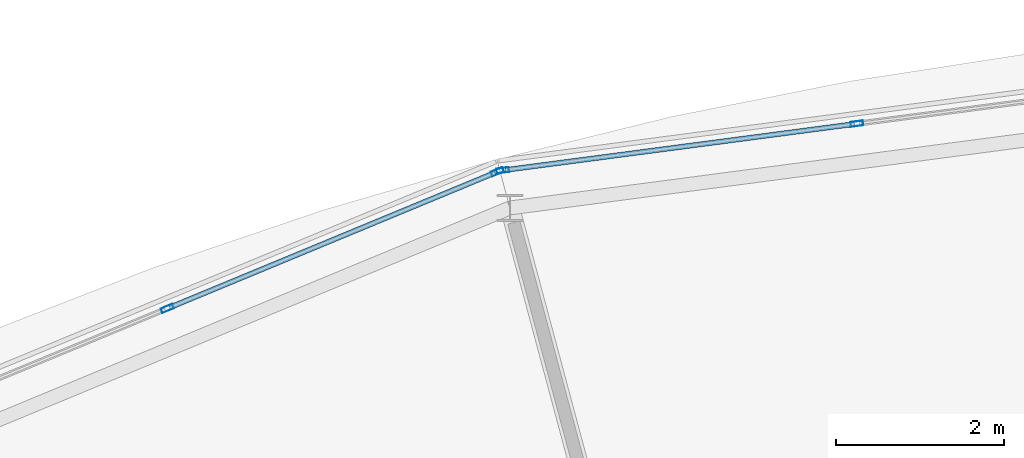
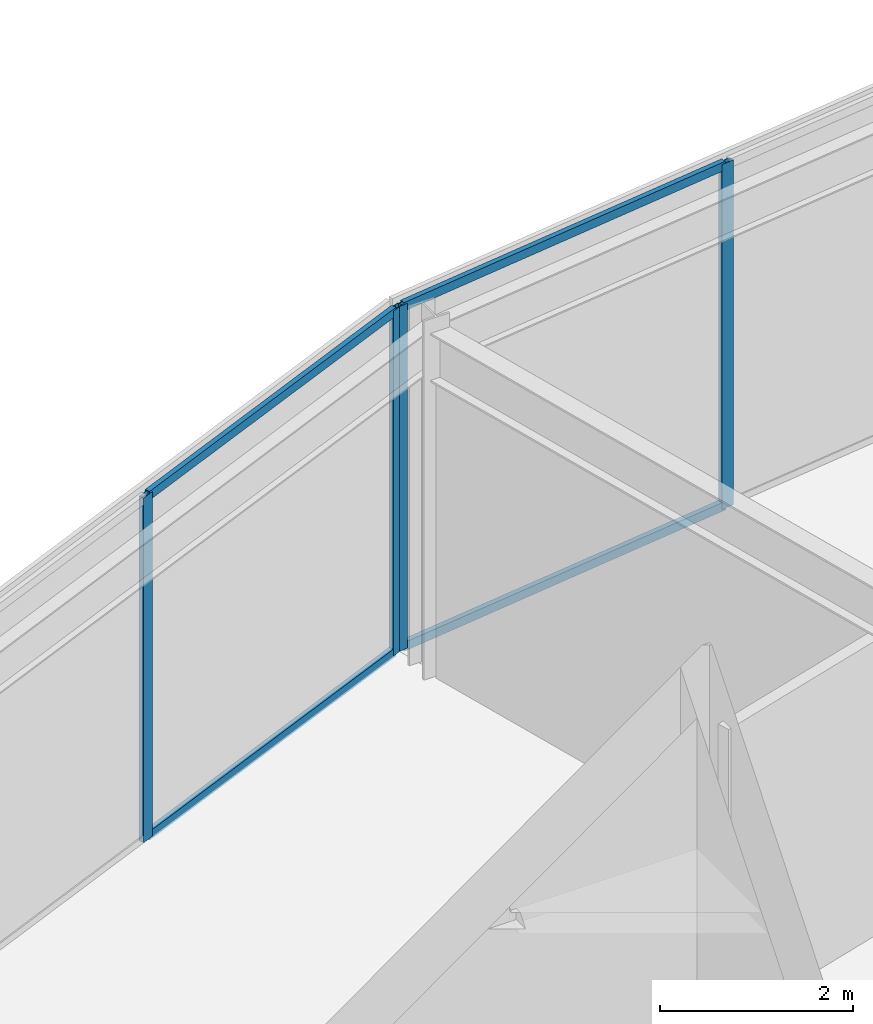
# One storey, part 76 of 133: 8 members, 2 elements without a shape of their own.
"""IFC4 building model written with IfcOpenShell, lengths in metres."""

from ifc_helpers import new_model, si_unit, direction, frame, origin, origin_2d, place, context, subcontext, project, spatial, hollow_rectangle, extrude, material, material_profile, profile_set, type_object, element, aggregate, save


model = new_model("IFC4")

# Units and contexts
model_context = context("Model", 3, precision=1e-05, world=origin(), true_north=direction((0.0, 1.0)))
body_context = subcontext(model_context, "Body", "Model", "MODEL_VIEW")
ifc_project = project(units=[si_unit("LENGTHUNIT", "METRE"), si_unit("AREAUNIT", "SQUARE_METRE"), si_unit("VOLUMEUNIT", "CUBIC_METRE"), si_unit("PLANEANGLEUNIT", "RADIAN"), si_unit("MASSUNIT", "GRAM", prefix="KILO")], contexts=[model_context])

# Site, building, storey
site_placement = place(None, origin())
site = spatial("IfcSite", under=ifc_project, at=site_placement, CompositionType="ELEMENT")
building_placement = place(site_placement, origin())
building = spatial("IfcBuilding", under=site, at=building_placement, Name="Almandine Court Research Institute", CompositionType="ELEMENT")
storey_placement = place(building_placement, frame((0.0, 0.0, 9.800048828125)))
storey = spatial("IfcBuildingStorey", under=building, at=storey_placement, Name="L02", CompositionType="ELEMENT", Elevation=9.800048828125)

# Curtain wall, members
ifc_material_1 = material(Name="Unitised Curtain Wall Framing and Solar Glazing", Category="glass")
curtain_wall_type = type_object("IfcCurtainWallType", Name="CW-CWG-20", PredefinedType="USERDEFINED", material=ifc_material_1)
curtain_wall_1_placement = place(storey_placement, origin())
curtain_wall_1 = element("IfcCurtainWall", 1, at=curtain_wall_1_placement, inside=storey, type_object=curtain_wall_type, Name="L02 Stacked-Ring Drum Outer Unitised Glazing 06", ObjectType="UNITISED GLAZING", PredefinedType="USERDEFINED")
ifc_material_2 = material(Name="Anodised Aluminium AW-6063-T6", Category="aluminium")
ifc_material_profile_1 = material_profile(ifc_material_2, hollow_rectangle(XDim=0.06005859375, YDim=0.14990234375, WallThickness=0.00390625, at=origin_2d()), Name="ALU RHS 60x150x4")
ifc_profile_set_1 = profile_set([ifc_material_profile_1], Name="Anodised Aluminium AW-6063-T6")
member_type_1 = type_object("IfcMemberType", Name="CWMul-60x150", PredefinedType="MULLION", material=ifc_profile_set_1)
member_1_placement = place(storey_placement, frame((74.2587890625, 103.682861328125, 0.0), z_axis=(0.0, 0.0, 1.0), x_axis=(-0.130540891259, 0.991442926098, 0.0)))
member_1 = element("IfcMember", 2, at=member_1_placement, type_object=member_type_1, Name="CWG-20 mullion 1", PredefinedType="MULLION", context=body_context, shape_type="SweptSolid", body=[
    extrude(hollow_rectangle(XDim=0.06005859375, YDim=0.14990234375, WallThickness=0.00390625, at=origin_2d()), origin(), (0.0, 0.0, 1.0), 4.369873046875),
])
member_2_placement = place(storey_placement, frame((78.484619140625, 104.2392578125, 0.0), z_axis=(0.0, 0.0, 1.0), x_axis=(-0.130540891259, 0.991442926098, 0.0)))
member_2 = element("IfcMember", 3, at=member_2_placement, type_object=member_type_1, Name="CWG-20 mullion 2", PredefinedType="MULLION", context=body_context, shape_type="SweptSolid", body=[
    extrude(hollow_rectangle(XDim=0.06005859375, YDim=0.14990234375, WallThickness=0.00390625, at=origin_2d()), origin(), (0.0, 0.0, 1.0), 4.369873046875),
])

curtain_wall_2_placement = place(storey_placement, origin())
curtain_wall_2 = element("IfcCurtainWall", 4, at=curtain_wall_2_placement, inside=storey, type_object=curtain_wall_type, Name="L02 Stacked-Ring Drum Outer Unitised Glazing 07", ObjectType="UNITISED GLAZING", PredefinedType="USERDEFINED")
member_3_placement = place(storey_placement, frame((70.2548828125, 102.034423828125, 0.0), z_axis=(0.0, 0.0, 1.0), x_axis=(-0.382662689242, 0.923888124321, 0.0)))
member_3 = element("IfcMember", 5, at=member_3_placement, type_object=member_type_1, Name="CWG-20 mullion 3", PredefinedType="MULLION", context=body_context, shape_type="SweptSolid", body=[
    extrude(hollow_rectangle(XDim=0.06005859375, YDim=0.14990234375, WallThickness=0.00390625, at=origin_2d()), origin(), (0.0, 0.0, 1.0), 4.369873046875),
])
member_4_placement = place(storey_placement, frame((74.193359375, 103.66552734375, 0.0), z_axis=(0.0, 0.0, 1.0), x_axis=(-0.382662689242, 0.923888124321, 0.0)))
member_4 = element("IfcMember", 6, at=member_4_placement, type_object=member_type_1, Name="CWG-20 mullion 4", PredefinedType="MULLION", context=body_context, shape_type="SweptSolid", body=[
    extrude(hollow_rectangle(XDim=0.06005859375, YDim=0.14990234375, WallThickness=0.00390625, at=origin_2d()), origin(), (0.0, 0.0, 1.0), 4.369873046875),
])

# Member
ifc_material_profile_2 = material_profile(ifc_material_2, hollow_rectangle(XDim=0.06005859375, YDim=0.110107421875, WallThickness=0.00390625, at=origin_2d()), Name="ALU RHS 60x110x4")
ifc_profile_set_2 = profile_set([ifc_material_profile_2], Name="Anodised Aluminium AW-6063-T6")
member_type_2 = type_object("IfcMemberType", Name="CWTrn-60x110", PredefinedType="NOTDEFINED", material=ifc_profile_set_2)
member_5_placement = place(storey_placement, frame((74.28857421875, 103.686767578125, 0.030029296875), z_axis=(0.991442228753, 0.130546187402, 0.0), x_axis=(-0.130546187402, 0.991442228753, 0.0)))
member_5 = element("IfcMember", 7, at=member_5_placement, type_object=member_type_2, Name="CWG-20 transom 1.1", ObjectType="TRANSOM", PredefinedType="USERDEFINED", context=body_context, shape_type="SweptSolid", body=[
    extrude(hollow_rectangle(XDim=0.06005859375, YDim=0.110107421875, WallThickness=0.00390625, at=origin_2d()), origin(), (0.0, 0.0, 1.0), 4.2021484375),
])

member_6_placement = place(storey_placement, frame((74.28857421875, 103.686767578125, 4.33984375), z_axis=(0.991442228753, 0.130546187402, 0.0), x_axis=(-0.130546187402, 0.991442228753, 0.0)))
member_6 = element("IfcMember", 8, at=member_6_placement, type_object=member_type_2, Name="CWG-20 transom 1.2", ObjectType="TRANSOM", PredefinedType="USERDEFINED", context=body_context, shape_type="SweptSolid", body=[
    extrude(hollow_rectangle(XDim=0.06005859375, YDim=0.110107421875, WallThickness=0.00390625, at=origin_2d()), origin(), (0.0, 0.0, 1.0), 4.2021484375),
])

aggregate(curtain_wall_1, [member_1, member_2, member_5, member_6])

member_7_placement = place(storey_placement, frame((70.28271484375, 102.0458984375, 0.030029296875), z_axis=(0.923892933282, 0.382651078441, 0.0), x_axis=(-0.382651078441, 0.923892933282, 0.0)))
member_7 = element("IfcMember", 9, at=member_7_placement, type_object=member_type_2, Name="CWG-20 transom 3.1", ObjectType="TRANSOM", PredefinedType="USERDEFINED", context=body_context, shape_type="SweptSolid", body=[
    extrude(hollow_rectangle(XDim=0.06005859375, YDim=0.110107421875, WallThickness=0.00390625, at=origin_2d()), origin(), (0.0, 0.0, 1.0), 4.20263671875),
])

member_8_placement = place(storey_placement, frame((70.28271484375, 102.0458984375, 4.33984375), z_axis=(0.923892933282, 0.382651078441, 0.0), x_axis=(-0.382651078441, 0.923892933282, 0.0)))
member_8 = element("IfcMember", 10, at=member_8_placement, type_object=member_type_2, Name="CWG-20 transom 3.2", ObjectType="TRANSOM", PredefinedType="USERDEFINED", context=body_context, shape_type="SweptSolid", body=[
    extrude(hollow_rectangle(XDim=0.06005859375, YDim=0.110107421875, WallThickness=0.00390625, at=origin_2d()), origin(), (0.0, 0.0, 1.0), 4.20263671875),
])

aggregate(curtain_wall_2, [member_3, member_4, member_7, member_8])

save(model, "model.ifc")
